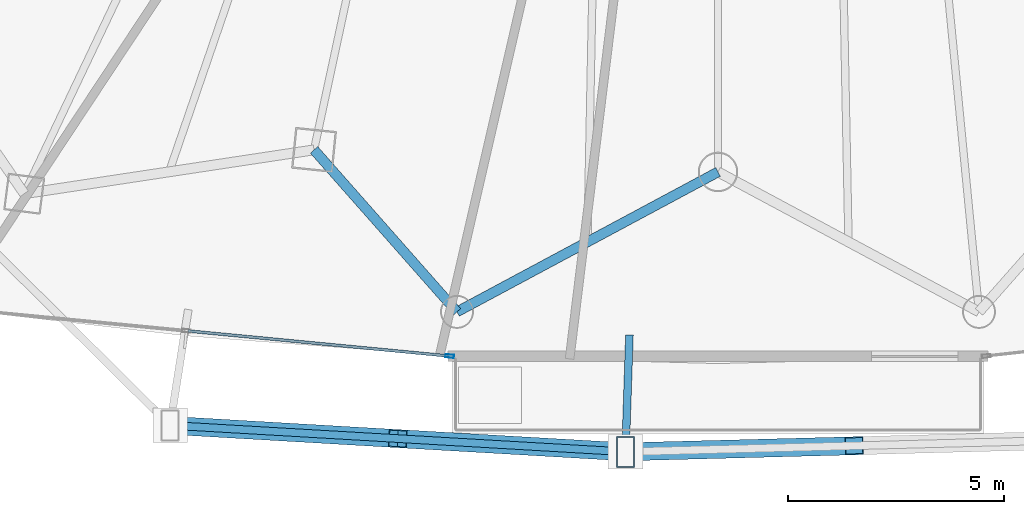
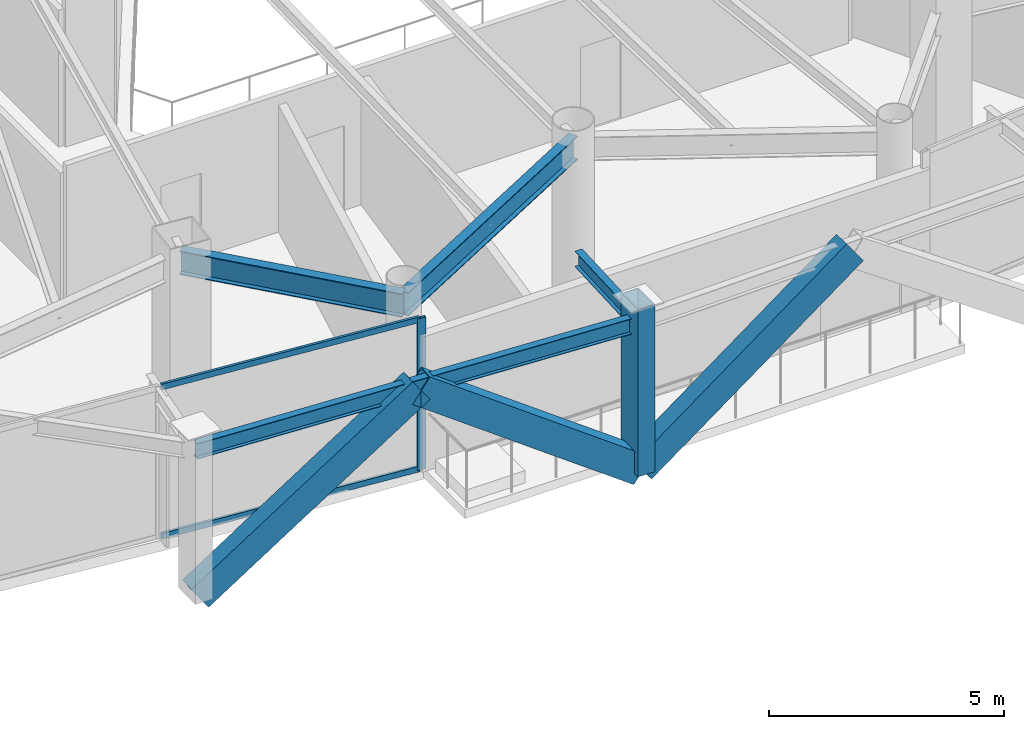
# One storey, part 6 of 33: 7 members, 4 beams, 1 element without a shape of its own.
"""IFC4 building model written with IfcOpenShell, lengths in metres."""

from ifc_helpers import new_model, si_unit, direction, frame, origin, origin_2d, place, context, subcontext, project, spatial, hollow_rectangle, i_section, extrude, material, layer, layer_set, material_profile, profile_set, type_object, element, aggregate, save


model = new_model("IFC4")

# Units and contexts
model_context = context("Model", 3, precision=1e-05, world=origin(), true_north=direction((0.0, 1.0)))
body_context = subcontext(model_context, "Body", "Model", "MODEL_VIEW")
ifc_project = project(units=[si_unit("LENGTHUNIT", "METRE"), si_unit("AREAUNIT", "SQUARE_METRE"), si_unit("VOLUMEUNIT", "CUBIC_METRE"), si_unit("PLANEANGLEUNIT", "RADIAN"), si_unit("MASSUNIT", "GRAM", prefix="KILO")], contexts=[model_context])

# Site, building, storey
site_placement = place(None, origin())
site = spatial("IfcSite", under=ifc_project, at=site_placement, CompositionType="ELEMENT")
building_placement = place(site_placement, origin())
building = spatial("IfcBuilding", under=site, at=building_placement, Name="Orvanel Arch Residences", CompositionType="ELEMENT")
storey_placement = place(building_placement, frame((0.0, 0.0, 97.25)))
storey = spatial("IfcBuildingStorey", under=building, at=storey_placement, Name="L27", CompositionType="ELEMENT", Elevation=97.25)

# Members
ifc_material_1 = material(Name="Structural steel AS/NZS 3678 Grade 350", Category="steel")
ifc_material_profile_1 = material_profile(ifc_material_1, hollow_rectangle(XDim=0.419921875, YDim=0.719970703125, WallThickness=0.02490234375, at=origin_2d()), Name="RHS720x420x25")
ifc_profile_set_1 = profile_set([ifc_material_profile_1], Name="Structural steel AS/NZS 3678 Grade 350")
member_type_1 = type_object("IfcMemberType", Name="BR-720RHS-EXT", PredefinedType="BRACE", material=ifc_profile_set_1)
for number, where, z_axis, x_axis, name in (
    (1, (20.31689453125, 0.97802734375, 0.0), (0.814124923864, -0.047437200288, 0.578748926886), (0.058169054549, 0.998306746994, 0.0), "L27 Exterior Sky-Garden V-Frame Chevron F2B1.1"),
    (2, (30.85888671875, 0.364990234375, 0.0), (-0.814132190952, 0.04724907991, 0.578754092947), (-0.057938635633, -0.998320146296, 0.0), "L27 Exterior Sky-Garden V-Frame Chevron F2B1.2"),
):
    element("IfcMember", number, at=place(storey_placement, frame(where, z_axis=z_axis, x_axis=x_axis)), inside=storey, type_object=member_type_1, Name=name, PredefinedType="BRACE", context=body_context, shape_type="SweptSolid", body=[
        extrude(hollow_rectangle(XDim=0.419921875, YDim=0.719970703125, WallThickness=0.02490234375, at=origin_2d()), origin(), (0.0, 0.0, 1.0), 6.474365234375),
    ])
member_1_placement = place(storey_placement, frame((30.85888671875, 0.364990234375, 0.0), z_axis=(0.816051387828, 0.021563174786, 0.577576974885), x_axis=(-0.026414575307, 0.999651074231, 0.0)))
element("IfcMember", 3, at=member_1_placement, inside=storey, type_object=member_type_1, Name="L27 Exterior Sky-Garden V-Frame Chevron F2B2.1", PredefinedType="BRACE", context=body_context, shape_type="SweptSolid", body=[
    extrude(hollow_rectangle(XDim=0.419921875, YDim=0.719970703125, WallThickness=0.02490234375, at=origin_2d()), origin(), (0.0, 0.0, 1.0), 6.487548828125),
])
ifc_material_profile_2 = material_profile(ifc_material_1, hollow_rectangle(XDim=0.419921875, YDim=0.719970703125, WallThickness=0.02490234375, at=origin_2d()), Name="RHS720x420x25")
ifc_profile_set_2 = profile_set([ifc_material_profile_2], Name="Structural steel AS/NZS 3678 Grade 350")
member_type_2 = type_object("IfcMemberType", Name="CH-720RHS-EXT", PredefinedType="CHORD", material=ifc_profile_set_2)
member_2_placement = place(storey_placement, frame((30.85888671875, 0.364990234375, 0.0), z_axis=(0.0, 0.0, 1.0), x_axis=(1.0, 0.0, 0.0)))
element("IfcMember", 4, at=member_2_placement, inside=storey, type_object=member_type_2, Name="L27 Outer Perimeter Frame Post 06", PredefinedType="CHORD", context=body_context, shape_type="SweptSolid", body=[
    extrude(hollow_rectangle(XDim=0.419921875, YDim=0.719970703125, WallThickness=0.02490234375, at=origin_2d()), origin(), (0.0, 0.0, 1.0), 4.35009765625),
])

# Curtain wall, member
ifc_material_2 = material(Name="Bronze-anodised aluminium AA6063-T6", Category="aluminium")
ifc_layer = layer(ifc_material_2, 0.195068359375)
ifc_layer_set = layer_set([ifc_layer], Name="Bronze-anodised aluminium AA6063-T6")
curtain_wall_type = type_object("IfcCurtainWallType", Name="CW6-COM-SYS", PredefinedType="NOTDEFINED", material=ifc_layer_set)
curtain_wall_placement = place(storey_placement, origin())
curtain_wall = element("IfcCurtainWall", 5, at=curtain_wall_placement, inside=storey, type_object=curtain_wall_type, Name="L27 CW6-COM-SYS Unitised Curtain Wall", PredefinedType="NOTDEFINED")
ifc_material_profile_3 = material_profile(ifc_material_2, hollow_rectangle(XDim=0.074951171875, YDim=0.199951171875, WallThickness=0.0048828125, at=origin_2d()), Name="ALU200x75x5")
ifc_profile_set_3 = profile_set([ifc_material_profile_3], Name="Bronze-anodised aluminium AA6063-T6")
member_type_3 = type_object("IfcMemberType", Name="MUL-200x75", PredefinedType="MULLION", material=ifc_profile_set_3)
member_3_placement = place(storey_placement, frame((26.790771484375, 2.58056640625, 0.0), z_axis=(0.0, 0.0, 1.0), x_axis=(0.095605700443, 0.99541928354, 0.0)))
member_3 = element("IfcMember", 6, at=member_3_placement, type_object=member_type_3, Name="CW-S6 mullion 3", PredefinedType="MULLION", context=body_context, shape_type="SweptSolid", body=[
    extrude(hollow_rectangle(XDim=0.074951171875, YDim=0.199951171875, WallThickness=0.0048828125, at=origin_2d()), origin(), (0.0, 0.0, 1.0), 3.949951171875),
])

# Beams
ifc_material_3 = material(Name="Structural steel AS/NZS 3679.1 Grade 300 (300 MPa)", Category="steel")
ifc_material_profile_4 = material_profile(ifc_material_3, i_section(OverallWidth=0.177978515625, OverallDepth=0.406005859375, WebThickness=0.0078125, FlangeThickness=0.0126953125, at=origin_2d()), Name="410UB59.7")
ifc_profile_set_4 = profile_set([ifc_material_profile_4], Name="Structural steel AS/NZS 3679.1 Grade 300 (300 MPa)")
beam_type_1 = type_object("IfcBeamType", Name="OB-410UB-EXT", PredefinedType="SPANDREL", material=ifc_profile_set_4)
beam_1_placement = place(storey_placement, frame((20.31689453125, 0.97802734375, 3.7470703125), z_axis=(0.998313453248, -0.058053846251, 0.0), x_axis=(0.058053846251, 0.998313453248, 0.0)))
element("IfcBeam", 7, at=beam_1_placement, inside=storey, type_object=beam_type_1, Name="L27 Outer Perimeter Floor Ring Beam 05", PredefinedType="SPANDREL", context=body_context, shape_type="SweptSolid", body=[
    extrude(i_section(OverallWidth=0.177978515625, OverallDepth=0.406005859375, WebThickness=0.0078125, FlangeThickness=0.0126953125, at=origin_2d()), origin(), (0.0, 0.0, 1.0), 10.559814453125),
])
beam_2_placement = place(storey_placement, frame((30.949951171875, 3.06689453125, 3.7470703125), z_axis=(-0.033684677538, -0.999432510227, 0.0), x_axis=(0.999432510227, -0.033684677538, 0.0)))
element("IfcBeam", 8, at=beam_2_placement, inside=storey, type_object=beam_type_1, Name="L27 Outer Frame Radial Tie Beam 06", PredefinedType="SPANDREL", context=body_context, shape_type="SweptSolid", body=[
    extrude(i_section(OverallWidth=0.177978515625, OverallDepth=0.406005859375, WebThickness=0.0078125, FlangeThickness=0.0126953125, at=origin_2d()), origin(), (0.0, 0.0, 1.0), 2.703369140625),
])
ifc_material_profile_5 = material_profile(ifc_material_3, i_section(OverallWidth=0.22900390625, OverallDepth=0.612060546875, WebThickness=0.011962890625, FlangeThickness=0.01953125, at=origin_2d()), Name="610UB125")
ifc_profile_set_5 = profile_set([ifc_material_profile_5], Name="Structural steel AS/NZS 3679.1 Grade 300 (300 MPa)")
beam_type_2 = type_object("IfcBeamType", Name="SP-610UB", PredefinedType="SPANDREL", material=ifc_profile_set_5)
beam_3_placement = place(storey_placement, frame((23.64892578125, 7.35498046875, 3.64404296875), z_axis=(0.661650698195, -0.749812212209, 0.0), x_axis=(0.749812212209, 0.661650698195, 0.0)))
element("IfcBeam", 9, at=beam_3_placement, inside=storey, type_object=beam_type_2, Name="L27 Perimeter Spandrel Beam 05", PredefinedType="SPANDREL", context=body_context, shape_type="SweptSolid", body=[
    extrude(i_section(OverallWidth=0.22900390625, OverallDepth=0.612060546875, WebThickness=0.011962890625, FlangeThickness=0.01953125, at=origin_2d()), origin(), (0.0, 0.0, 1.0), 5.001220703125),
])
beam_4_placement = place(storey_placement, frame((26.9580078125, 3.60498046875, 3.64404296875), z_axis=(0.881344400551, 0.472474388319, 0.0), x_axis=(-0.472474388319, 0.881344400551, 0.0)))
element("IfcBeam", 10, at=beam_4_placement, inside=storey, type_object=beam_type_2, Name="L27 Perimeter Spandrel Beam 06", PredefinedType="SPANDREL", context=body_context, shape_type="SweptSolid", body=[
    extrude(i_section(OverallWidth=0.22900390625, OverallDepth=0.612060546875, WebThickness=0.011962890625, FlangeThickness=0.01953125, at=origin_2d()), origin(), (0.0, 0.0, 1.0), 6.85546875),
])

# Member
ifc_material_profile_6 = material_profile(ifc_material_2, hollow_rectangle(XDim=0.06494140625, YDim=0.14990234375, WallThickness=0.00390625, at=origin_2d()), Name="ALU150x65x4")
ifc_profile_set_6 = profile_set([ifc_material_profile_6], Name="Bronze-anodised aluminium AA6063-T6")
member_type_4 = type_object("IfcMemberType", Name="TRN-150x65", PredefinedType="USERDEFINED", material=ifc_profile_set_6)
member_4_placement = place(storey_placement, frame((20.73291015625, 3.162353515625, 0.032470703125), z_axis=(0.995421150083, -0.095586264534, 0.0), x_axis=(0.095586264534, 0.995421150083, 0.0)))
member_4 = element("IfcMember", 11, at=member_4_placement, type_object=member_type_4, Name="CW-S6 transom 2.1", ObjectType="TRANSOM", PredefinedType="USERDEFINED", context=body_context, shape_type="SweptSolid", body=[
    extrude(hollow_rectangle(XDim=0.06494140625, YDim=0.14990234375, WallThickness=0.00390625, at=origin_2d()), origin(), (0.0, 0.0, 1.0), 6.048095703125),
])

member_5_placement = place(storey_placement, frame((20.73291015625, 3.162353515625, 3.91748046875), z_axis=(0.995421150083, -0.095586264534, 0.0), x_axis=(0.095586264534, 0.995421150083, 0.0)))
member_5 = element("IfcMember", 12, at=member_5_placement, type_object=member_type_4, Name="CW-S6 transom 2.2", ObjectType="TRANSOM", PredefinedType="USERDEFINED", context=body_context, shape_type="SweptSolid", body=[
    extrude(hollow_rectangle(XDim=0.06494140625, YDim=0.14990234375, WallThickness=0.00390625, at=origin_2d()), origin(), (0.0, 0.0, 1.0), 6.048095703125),
])

aggregate(curtain_wall, [member_3, member_4, member_5])

save(model, "model.ifc")
